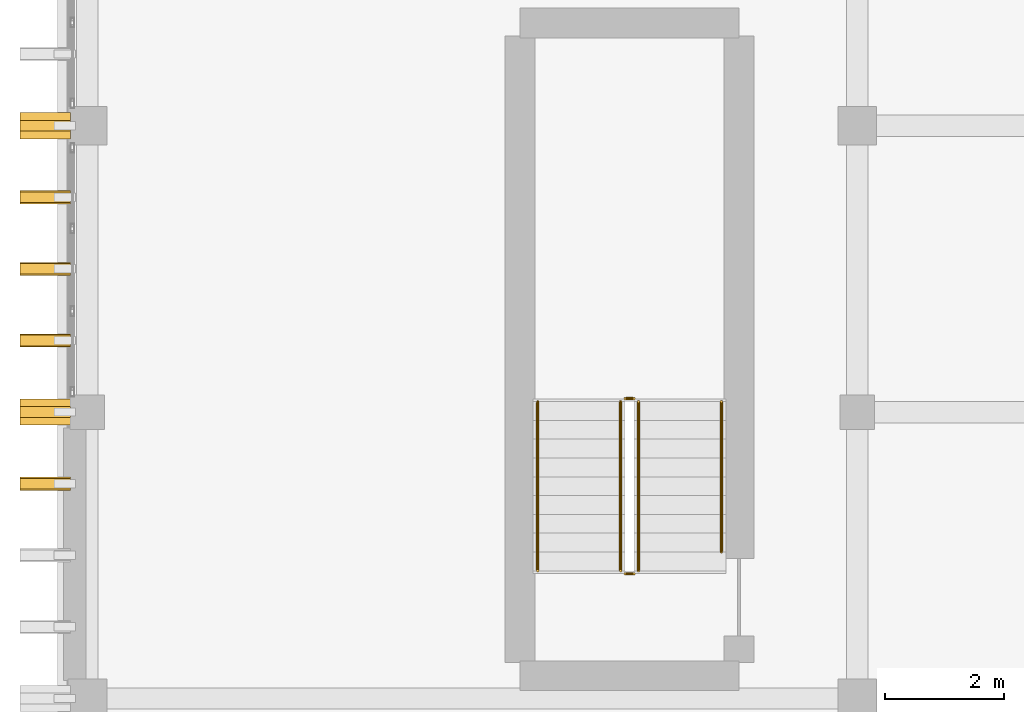
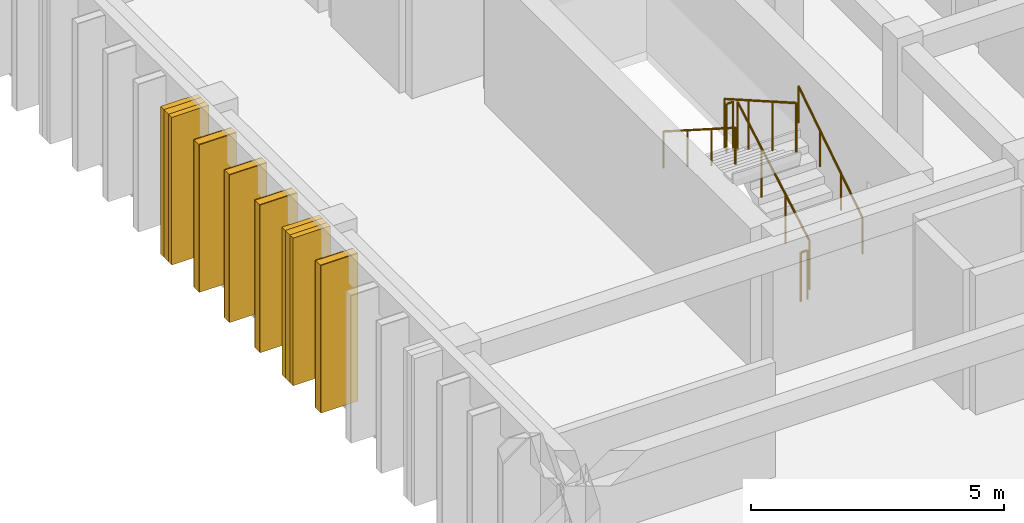
# One storey, part 46 of 49: 6 coverings, 6 railings, 6 shading devices.
"""IFC4 building model written with IfcOpenShell, lengths in metres."""

import ifcopenshell
import ifcopenshell.guid

model = None  # the IFC model being written
_history = None  # IfcOwnerHistory: only IFC2X3 demands one
_inside = {}  # id of a spatial element -> (the spatial element, [elements in it])
_under = {}  # id of a project, library or spatial element -> (it, [spatial elements below it])
_declared = {}  # id of a project -> (the project, [libraries it declares])
_typed = {}  # id of a type object -> (the type object, [elements of that type])
_made_of = {}  # id of a material, layer set ... -> (it, [elements and type objects made of it])


def new_model(schema):
    """Start an empty IFC model of exactly this schema.

    Asked for "IFC4X3", IfcOpenShell would pick the latest addendum, in which some entities
    have other attributes; the version numbers below select the first issue.
    IFC2X3 requires an IfcOwnerHistory on every rooted entity: one is made here for all.
    """
    global model, _history
    if schema == "IFC4X3":
        model = ifcopenshell.file(schema_version=(4, 3, 0, 0))
    else:
        model = ifcopenshell.file(schema=schema)
    _inside.clear()
    _under.clear()
    _declared.clear()
    _typed.clear()
    _made_of.clear()
    _history = None
    if model.schema == "IFC2X3":
        org = make("IfcOrganization", Name="unknown")
        user = make(
            "IfcPersonAndOrganization",
            ThePerson=make("IfcPerson", FamilyName="unknown"),
            TheOrganization=org,
        )
        app = make(
            "IfcApplication",
            ApplicationDeveloper=org,
            Version="unknown",
            ApplicationFullName="unknown",
            ApplicationIdentifier="unknown",
        )
        _history = make(
            "IfcOwnerHistory",
            OwningUser=user,
            OwningApplication=app,
            ChangeAction="ADDED",
            CreationDate=0,
        )
    return model


def make(cls, **values):
    """One entity of the class cls with the attributes given. An attribute that is None is left unset."""
    return model.create_entity(
        cls, **{name: value for name, value in values.items() if value is not None}
    )


def rooted(cls, **values):
    """An entity with a GlobalId (a new one), such as an element, a storey or a relation."""
    return make(cls, GlobalId=ifcopenshell.guid.new(), OwnerHistory=_history, **values)


def si_unit(unit_type, name, prefix=None):
    """IfcSIUnit, for example si_unit("LENGTHUNIT", "METRE", prefix="MILLI")."""
    return make("IfcSIUnit", UnitType=unit_type, Prefix=prefix, Name=name)


def assignment(units):
    """IfcUnitAssignment: the units of a project."""
    return None if units is None else make("IfcUnitAssignment", Units=units)


def point(xyz):
    """IfcCartesianPoint."""
    return None if xyz is None else make("IfcCartesianPoint", Coordinates=xyz)


def direction(xyz):
    """IfcDirection."""
    return None if xyz is None else make("IfcDirection", DirectionRatios=xyz)


def frame(location, z_axis=None, x_axis=None):
    """IfcAxis2Placement3D, a coordinate frame: its origin and axes. An axis left out is left unset."""
    return make(
        "IfcAxis2Placement3D",
        Location=point(location),
        Axis=direction(z_axis),
        RefDirection=direction(x_axis),
    )


def frame_2d(location, x_axis=None):
    """IfcAxis2Placement2D, a coordinate frame in the plane: its origin and x axis."""
    return make(
        "IfcAxis2Placement2D", Location=point(location), RefDirection=direction(x_axis)
    )


def origin():
    """The frame at (0, 0, 0) with its axes left unset."""
    return frame((0.0, 0.0, 0.0))


def origin_2d():
    """The frame at (0, 0) in the plane with its x axis left unset."""
    return frame_2d((0.0, 0.0))


def place(relative_to, where):
    """IfcLocalPlacement: puts the frame where relative to a parent placement (None: the world)."""
    return make(
        "IfcLocalPlacement", PlacementRelTo=relative_to, RelativePlacement=where
    )


def context(
    kind, dimensions, precision=None, world=None, true_north=None, identifier=None
):
    """IfcGeometricRepresentationContext, for example the 3D "Model" context."""
    return make(
        "IfcGeometricRepresentationContext",
        ContextIdentifier=identifier,
        ContextType=kind,
        CoordinateSpaceDimension=dimensions,
        Precision=precision,
        WorldCoordinateSystem=world,
        TrueNorth=true_north,
    )


def subcontext(parent, identifier, kind, view, scale=None):
    """IfcGeometricRepresentationSubContext, for example "Body" below "Model"."""
    return make(
        "IfcGeometricRepresentationSubContext",
        ContextIdentifier=identifier,
        ContextType=kind,
        ParentContext=parent,
        TargetScale=scale,
        TargetView=view,
    )


def project(units=None, contexts=None):
    """IfcProject with its units and contexts."""
    return rooted(
        "IfcProject",
        Name="project",
        RepresentationContexts=contexts,
        UnitsInContext=assignment(units),
    )


def spatial(cls, under=None, at=None, **own):
    """A site, building, storey or space (cls), placed at a placement, below another one or the project."""
    s = rooted(cls, ObjectPlacement=at, **own)
    if under is not None:
        _under.setdefault(under.id(), (under, []))[1].append(s)
    return s


def profile(cls, at=None, kind="AREA", **sizes):
    """A parametric profile (cls). Its sizes go by their IFC names, for example OverallWidth=200.0."""
    return make(cls, ProfileType=kind, Position=at, **sizes)


def rectangle(**sizes):
    """IfcRectangleProfileDef."""
    return profile("IfcRectangleProfileDef", **sizes)


def circle(**sizes):
    """IfcCircleProfileDef."""
    return profile("IfcCircleProfileDef", **sizes)


def extrude(swept, where, along, depth):
    """IfcExtrudedAreaSolid: the profile swept, set in the frame where, extruded along a direction by depth."""
    return make(
        "IfcExtrudedAreaSolid",
        SweptArea=swept,
        Position=where,
        ExtrudedDirection=direction(along),
        Depth=depth,
    )


def shape(context_of_items, identifier, shape_type, items):
    """IfcShapeRepresentation: the items that make up one representation, for example the "Body"."""
    return make(
        "IfcShapeRepresentation",
        ContextOfItems=context_of_items,
        RepresentationIdentifier=identifier,
        RepresentationType=shape_type,
        Items=items,
    )


def material(Name=None, Category=None):
    """IfcMaterial."""
    return make("IfcMaterial", Name=Name, Category=Category)


def layer(
    of_material, thickness, ventilated=None, Name=None, Category=None, Priority=None
):
    """IfcMaterialLayer: one layer of a wall or slab, of a material (None: an air gap)."""
    return make(
        "IfcMaterialLayer",
        Material=of_material,
        LayerThickness=thickness,
        IsVentilated=ventilated,
        Name=Name,
        Category=Category,
        Priority=Priority,
    )


def layer_set(layers, Name=None):
    """IfcMaterialLayerSet."""
    return make("IfcMaterialLayerSet", MaterialLayers=layers, LayerSetName=Name)


def made_of(thing, what):
    """Note that an element or type object is made of a material, layer set ...; save() writes the relation."""
    if what is not None:
        _made_of.setdefault(what.id(), (what, []))[1].append(thing)
    return thing


def type_object(cls, material=None, **own):
    """A type object (cls), such as IfcWallType, which elements share."""
    return made_of(rooted(cls, **own), material)


def element(
    cls,
    number,
    at=None,
    inside=None,
    cuts=None,
    type_object=None,
    material=None,
    context=None,
    identifier="Body",
    shape_type=None,
    held_by="IfcProductDefinitionShape",
    body=None,
    shapes=None,
    **own,
):
    """One element of the class cls, such as IfcWall. Its Tag is "e" and its number.

    at: its placement. inside: the storey or other place that contains it. cuts: it is an
    opening in that element (IfcRelVoidsElement). A single representation is given by context,
    identifier, shape_type and body (its items); several are given by shapes. held_by: the class
    of the entity that holds the representations. save() writes the other relations.
    """
    e = rooted(cls, Tag="e%d" % number, ObjectPlacement=at, **own)
    if body is not None:
        shapes = [shape(context, identifier, shape_type, body)]
    if shapes is not None:
        e.Representation = make(held_by, Representations=shapes)
    if inside is not None:
        _inside.setdefault(inside.id(), (inside, []))[1].append(e)
    if cuts is not None:
        rooted(
            "IfcRelVoidsElement", RelatingBuildingElement=cuts, RelatedOpeningElement=e
        )
    if type_object is not None:
        _typed.setdefault(type_object.id(), (type_object, []))[1].append(e)
    return made_of(e, material)


def aggregate(whole, parts):
    """IfcRelAggregates: a whole, such as a stair, and the parts it consists of."""
    return rooted("IfcRelAggregates", RelatingObject=whole, RelatedObjects=parts)


def save(model, path):
    """Write the relations noted so far, then the file.

    IfcRelAggregates (storeys below a building ...), IfcRelContainedInSpatialStructure (elements
    in a storey), IfcRelDefinesByType, IfcRelAssociatesMaterial and IfcRelDeclares: one each for
    every whole, place, type object, material and project.
    """
    for whole, parts in _under.values():
        aggregate(whole, parts)
    for where, things in _inside.values():
        rooted(
            "IfcRelContainedInSpatialStructure",
            RelatedElements=things,
            RelatingStructure=where,
        )
    for kind, things in _typed.values():
        rooted("IfcRelDefinesByType", RelatedObjects=things, RelatingType=kind)
    for what, things in _made_of.values():
        rooted("IfcRelAssociatesMaterial", RelatedObjects=things, RelatingMaterial=what)
    for by, libraries in _declared.values():
        rooted("IfcRelDeclares", RelatingContext=by, RelatedDefinitions=libraries)
    model.write(path)


model = new_model("IFC4")

# Units and contexts
model_context = context("Model", 3, precision=1e-05, world=origin(), true_north=direction((0.0, 1.0)))
body_context = subcontext(model_context, "Body", "Model", "MODEL_VIEW")
ifc_project = project(units=[si_unit("LENGTHUNIT", "METRE"), si_unit("AREAUNIT", "SQUARE_METRE"), si_unit("VOLUMEUNIT", "CUBIC_METRE"), si_unit("PLANEANGLEUNIT", "RADIAN"), si_unit("MASSUNIT", "GRAM", prefix="KILO")], contexts=[model_context])

# Site, building, storey
site_placement = place(None, origin())
site = spatial("IfcSite", under=ifc_project, at=site_placement, CompositionType="ELEMENT")
building_placement = place(site_placement, origin())
building = spatial("IfcBuilding", under=site, at=building_placement, Name="Nakhvara Creek Congress Hotel", CompositionType="ELEMENT")
storey_placement = place(building_placement, frame((0.0, 0.0, 39.0)))
storey = spatial("IfcBuildingStorey", under=building, at=storey_placement, Name="L09", CompositionType="ELEMENT", Elevation=39.0)

# Coverings
ifc_material_1 = material(Name="Honed pale Omani limestone architectural cladding", Category="masonry")
ifc_layer = layer(ifc_material_1, 0.219970703125)
ifc_layer_set = layer_set([ifc_layer], Name="Honed pale Omani limestone architectural cladding")
covering_type = type_object("IfcCoveringType", Name="COV-FIN-850", PredefinedType="CLADDING", material=ifc_layer_set)
covering_1_placement = place(storey_placement, frame((148.7451171875, 80.39990234375, 0.0), z_axis=(0.0, 0.0, 1.0), x_axis=(0.0, 1.0, 0.0)))
element("IfcCovering", 1, at=covering_1_placement, inside=storey, type_object=covering_type, Name="Pale Limestone Fin Cladding CF01-2174", PredefinedType="CLADDING", context=body_context, shape_type="SweptSolid", body=[
    extrude(rectangle(XDim=0.219970703125, YDim=0.85009765625, at=origin_2d()), origin(), (0.0, 0.0, 1.0), 3.56005859375),
])
covering_2_placement = place(storey_placement, frame((148.7451171875, 81.60009765625, 0.0), z_axis=(0.0, 0.0, 1.0), x_axis=(0.0, 1.0, 0.0)))
element("IfcCovering", 2, at=covering_2_placement, inside=storey, type_object=covering_type, Name="Pale Limestone Fin Cladding CF01-2176", PredefinedType="CLADDING", context=body_context, shape_type="SweptSolid", body=[
    extrude(rectangle(XDim=0.43994140625, YDim=0.85009765625, at=origin_2d()), origin(), (0.0, 0.0, 1.0), 3.56005859375),
])
for number, where, z_axis, x_axis, name in (
    (3, (148.7451171875, 82.800048828125, 0.0), (0.0, 0.0, 1.0), (0.0, 1.0, 0.0), "Pale Limestone Fin Cladding CF01-2178"),
    (4, (148.7451171875, 84.0, 0.0), (0.0, 0.0, 1.0), (0.0, 1.0, 0.0), "Pale Limestone Fin Cladding CF01-2179"),
    (5, (148.7451171875, 85.199951171875, 0.0), (0.0, 0.0, 1.0), (0.0, 1.0, 0.0), "Pale Limestone Fin Cladding CF01-2181"),
):
    element("IfcCovering", number, at=place(storey_placement, frame(where, z_axis=z_axis, x_axis=x_axis)), inside=storey, type_object=covering_type, Name=name, PredefinedType="CLADDING", context=body_context, shape_type="SweptSolid", body=[
        extrude(rectangle(XDim=0.219970703125, YDim=0.85009765625, at=origin_2d()), origin(), (0.0, 0.0, 1.0), 3.56005859375),
    ])
covering_3_placement = place(storey_placement, frame((148.7451171875, 86.39990234375, 0.0), z_axis=(0.0, 0.0, 1.0), x_axis=(0.0, 1.0, 0.0)))
element("IfcCovering", 6, at=covering_3_placement, inside=storey, type_object=covering_type, Name="Pale Limestone Fin Cladding CF01-2183", PredefinedType="CLADDING", context=body_context, shape_type="SweptSolid", body=[
    extrude(rectangle(XDim=0.43994140625, YDim=0.85009765625, at=origin_2d()), origin(), (0.0, 0.0, 1.0), 3.56005859375),
])

# Railings
ifc_material_2 = material(Name="Brushed stainless steel 316L", Category="steel")
railing_type_1 = type_object("IfcRailingType", Name="RL-GUARD-1200", PredefinedType="GUARDRAIL", material=ifc_material_2)
railing_1_placement = place(storey_placement, frame((158.68505859375, 78.93994140625, 0.179931640625)))
element("IfcRailing", 7, at=railing_1_placement, inside=storey, type_object=railing_type_1, Name="L09 ST01 stair guard 1", PredefinedType="GUARDRAIL", context=body_context, shape_type="SweptSolid", body=[
    extrude(circle(Radius=0.02392578125, at=origin_2d()), frame((0.0, 0.0126953125, 1.18310546875), z_axis=(0.0, 0.868224736699, 0.496171146464), x_axis=(-1.0, 0.0, 0.0)), (0.0, 0.0, 1.0), 3.23583984375),
    extrude(circle(Radius=0.02099609375, at=origin_2d()), origin(), (0.0, 0.0, 1.0), 1.1806640625),
    extrude(circle(Radius=0.02099609375, at=origin_2d()), frame((0.0, 0.945068359375, 0.5400390625)), (0.0, 0.0, 1.0), 1.1806640625),
    extrude(circle(Radius=0.02099609375, at=origin_2d()), frame((0.0, 1.889892578125, 1.080078125)), (0.0, 0.0, 1.0), 1.1806640625),
    extrude(circle(Radius=0.02099609375, at=origin_2d()), frame((0.0, 2.8349609375, 1.6201171875)), (0.0, 0.0, 1.0), 1.1806640625),
])
railing_2_placement = place(storey_placement, frame((158.610107421875, 81.824951171875, 1.800048828125)))
element("IfcRailing", 8, at=railing_2_placement, inside=storey, type_object=railing_type_1, Name="L09 ST01 stair guard 2", PredefinedType="GUARDRAIL", context=body_context, shape_type="SweptSolid", body=[
    extrude(circle(Radius=0.02392578125, at=origin_2d()), frame((-0.0146484375, 0.0, 1.17578125), z_axis=(-1.0, 0.0, 0.0), x_axis=(0.0, -1.0, 0.0)), (0.0, 0.0, 1.0), 0.120849609375),
    extrude(circle(Radius=0.02099609375, at=origin_2d()), origin(), (0.0, 0.0, 1.0), 1.1806640625),
    extrude(circle(Radius=0.02099609375, at=origin_2d()), frame((-0.150146484375, 0.0, 0.0)), (0.0, 0.0, 1.0), 1.1806640625),
])
railing_3_placement = place(storey_placement, frame((158.385009765625, 81.77490234375, 1.97998046875)))
element("IfcRailing", 9, at=railing_3_placement, inside=storey, type_object=railing_type_1, Name="L09 ST01 stair guard 3", PredefinedType="GUARDRAIL", context=body_context, shape_type="SweptSolid", body=[
    extrude(circle(Radius=0.02392578125, at=origin_2d()), frame((0.0, -0.0126953125, 1.18310546875), z_axis=(0.0, -0.868224736699, 0.496171146464), x_axis=(1.0, 0.0, 0.0)), (0.0, 0.0, 1.0), 3.23583984375),
    extrude(circle(Radius=0.02099609375, at=origin_2d()), origin(), (0.0, 0.0, 1.0), 1.1806640625),
    extrude(circle(Radius=0.02099609375, at=origin_2d()), frame((0.0, -0.945068359375, 0.5400390625)), (0.0, 0.0, 1.0), 1.1806640625),
    extrude(circle(Radius=0.02099609375, at=origin_2d()), frame((0.0, -1.889892578125, 1.080078125)), (0.0, 0.0, 1.0), 1.1806640625),
    extrude(circle(Radius=0.02099609375, at=origin_2d()), frame((0.0, -2.8349609375, 1.6201171875)), (0.0, 0.0, 1.0), 1.1806640625),
])
railing_4_placement = place(storey_placement, frame((158.610107421875, 78.889892578125, 0.0)))
element("IfcRailing", 10, at=railing_4_placement, inside=storey, type_object=railing_type_1, Name="L09 ST01 stair guard 4", PredefinedType="GUARDRAIL", context=body_context, shape_type="SweptSolid", body=[
    extrude(circle(Radius=0.02392578125, at=origin_2d()), frame((-0.0146484375, 0.0, 1.17578125), z_axis=(-1.0, 0.0, 0.0), x_axis=(0.0, -1.0, 0.0)), (0.0, 0.0, 1.0), 0.120849609375),
    extrude(circle(Radius=0.02099609375, at=origin_2d()), origin(), (0.0, 0.0, 1.0), 1.1806640625),
    extrude(circle(Radius=0.02099609375, at=origin_2d()), frame((-0.150146484375, 0.0, 0.0)), (0.0, 0.0, 1.0), 1.1806640625),
])
railing_type_2 = type_object("IfcRailingType", Name="RL-HAND-900", PredefinedType="HANDRAIL", material=ifc_material_2)
railing_5_placement = place(storey_placement, frame((160.074951171875, 79.2548828125, 0.360107421875)))
element("IfcRailing", 11, at=railing_5_placement, inside=storey, type_object=railing_type_2, Name="L09 ST01 stair handrail 1", PredefinedType="HANDRAIL", context=body_context, shape_type="SweptSolid", body=[
    extrude(circle(Radius=0.02392578125, at=origin_2d()), frame((0.0, 0.012451171875, 0.8837890625), z_axis=(0.0, 0.839530876525, 0.54331197977), x_axis=(-1.0, 0.0, 0.0)), (0.0, 0.0, 1.0), 2.972412109375),
    extrude(circle(Radius=0.02099609375, at=origin_2d()), origin(), (0.0, 0.0, 1.0), 0.880615234375),
    extrude(circle(Radius=0.02099609375, at=origin_2d()), frame((0.0, 0.840087890625, 0.543701171875)), (0.0, 0.0, 1.0), 0.880615234375),
    extrude(circle(Radius=0.02099609375, at=origin_2d()), frame((0.0, 1.679931640625, 1.087158203125)), (0.0, 0.0, 1.0), 0.880615234375),
    extrude(circle(Radius=0.02099609375, at=origin_2d()), frame((0.0, 2.52001953125, 1.630859375)), (0.0, 0.0, 1.0), 0.880615234375),
])
railing_6_placement = place(storey_placement, frame((156.9951171875, 81.77490234375, 1.97998046875)))
element("IfcRailing", 12, at=railing_6_placement, inside=storey, type_object=railing_type_2, Name="L09 ST01 stair handrail 2", PredefinedType="HANDRAIL", context=body_context, shape_type="SweptSolid", body=[
    extrude(circle(Radius=0.02392578125, at=origin_2d()), frame((0.0, -0.012451171875, 0.8837890625), z_axis=(0.0, -0.842721868308, 0.538349192138), x_axis=(1.0, 0.0, 0.0)), (0.0, 0.0, 1.0), 3.334716796875),
    extrude(circle(Radius=0.02099609375, at=origin_2d()), origin(), (0.0, 0.0, 1.0), 0.880615234375),
    extrude(circle(Radius=0.02099609375, at=origin_2d()), frame((0.0, -0.945068359375, 0.603759765625)), (0.0, 0.0, 1.0), 0.880615234375),
    extrude(circle(Radius=0.02099609375, at=origin_2d()), frame((0.0, -1.889892578125, 1.207275390625)), (0.0, 0.0, 1.0), 0.880615234375),
    extrude(circle(Radius=0.02099609375, at=origin_2d()), frame((0.0, -2.8349609375, 1.81103515625)), (0.0, 0.0, 1.0), 0.880615234375),
])

# Shading devices
ifc_material_3 = material(Name="Honed pale Omani limestone cladding on stainless steel spine", Category="masonry")
shading_device_type = type_object("IfcShadingDeviceType", Name="SHD-FIN-850X3600", PredefinedType="USERDEFINED", material=ifc_material_3)
for number, where, z_axis, x_axis, name in (
    (13, (148.7451171875, 80.39990234375, 0.0), (0.0, 0.0, 1.0), (0.0, 1.0, 0.0), "Limestone Solar Fin FN01-2039"),
    (14, (148.7451171875, 81.60009765625, 0.0), (0.0, 0.0, 1.0), (0.0, 1.0, 0.0), "Limestone Solar Fin FN01-2041"),
    (15, (148.7451171875, 82.800048828125, 0.0), (0.0, 0.0, 1.0), (0.0, 1.0, 0.0), "Limestone Solar Fin FN01-2043"),
    (16, (148.7451171875, 84.0, 0.0), (0.0, 0.0, 1.0), (0.0, 1.0, 0.0), "Limestone Solar Fin FN01-2044"),
    (17, (148.7451171875, 85.199951171875, 0.0), (0.0, 0.0, 1.0), (0.0, 1.0, 0.0), "Limestone Solar Fin FN01-2046"),
    (18, (148.7451171875, 86.39990234375, 0.0), (0.0, 0.0, 1.0), (0.0, 1.0, 0.0), "Limestone Solar Fin FN01-2048"),
):
    element("IfcShadingDevice", number, at=place(storey_placement, frame(where, z_axis=z_axis, x_axis=x_axis)), inside=storey, type_object=shading_device_type, Name=name, ObjectType="FIN", PredefinedType="USERDEFINED", context=body_context, shape_type="SweptSolid", body=[
        extrude(rectangle(XDim=0.179931640625, YDim=0.85009765625, at=origin_2d()), origin(), (0.0, 0.0, 1.0), 3.56005859375),
    ])

save(model, "model.ifc")
